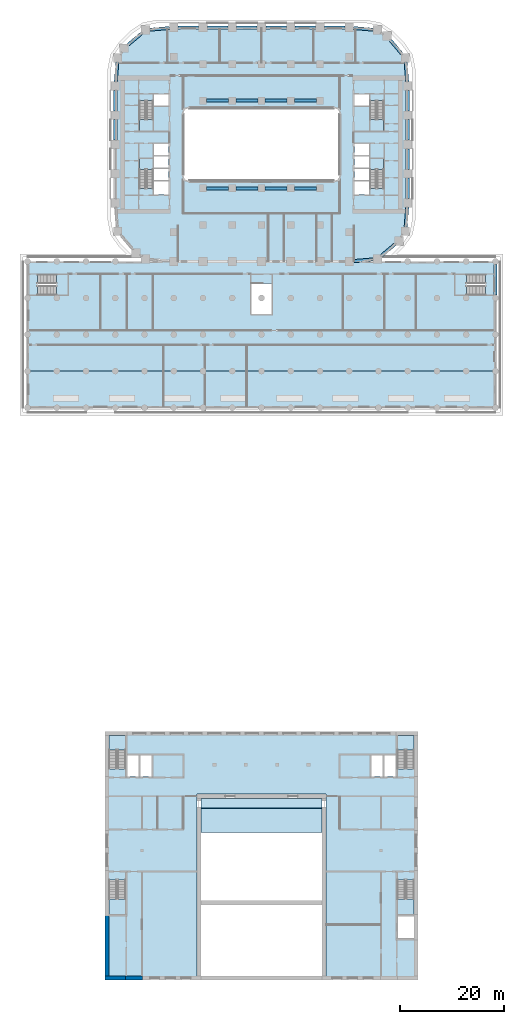
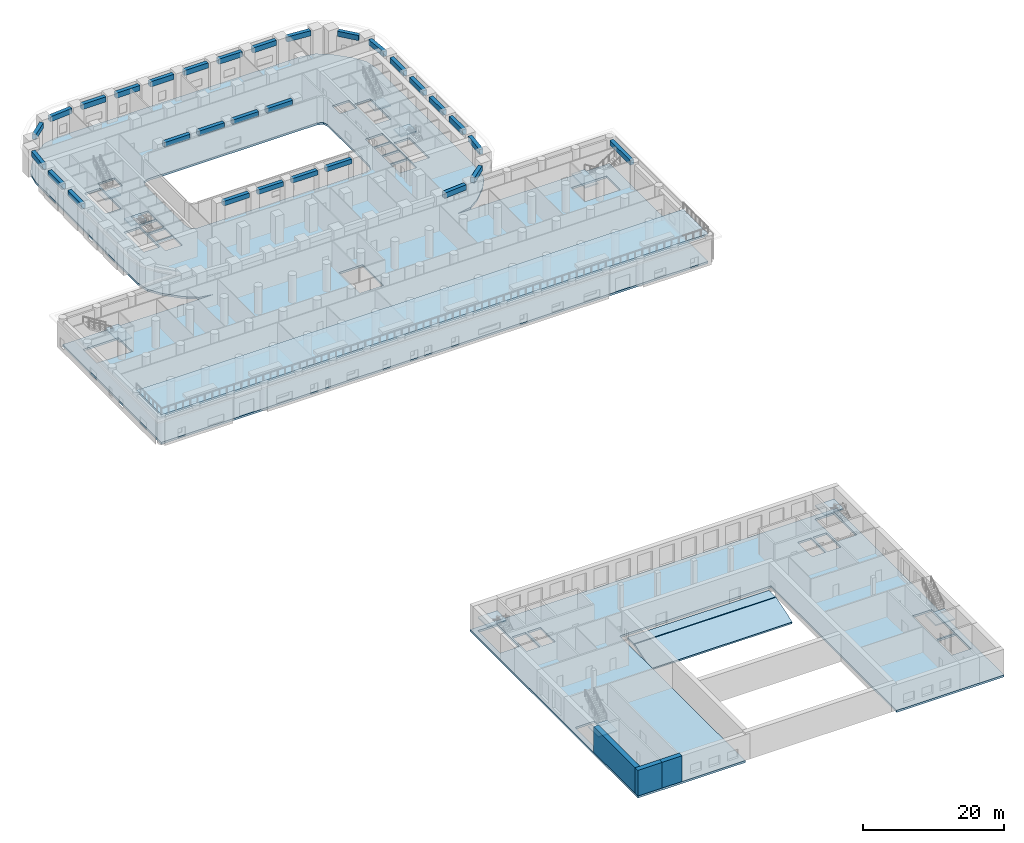
# One storey, part 2 of 24: 30 beams, 15 slabs, 3 walls, 10 elements without a shape of their own.
"""IFC4 building model written with IfcOpenShell, lengths in metres."""

from ifc_helpers import new_model, si_unit, direction, frame, frame_2d, origin, origin_2d, place, context, subcontext, project, spatial, polyline, rectangle, outline, extrude, material, layer, layer_set, material_profile, profile_set, type_object, element, aggregate, save


model = new_model("IFC4")

# Units and contexts
model_context = context("Model", 3, precision=1e-05, world=origin(), true_north=direction((0.0, 1.0)))
body_context = subcontext(model_context, "Body", "Model", "MODEL_VIEW")
ifc_project = project(units=[si_unit("LENGTHUNIT", "METRE"), si_unit("AREAUNIT", "SQUARE_METRE"), si_unit("VOLUMEUNIT", "CUBIC_METRE"), si_unit("PLANEANGLEUNIT", "RADIAN"), si_unit("MASSUNIT", "GRAM", prefix="KILO")], contexts=[model_context])

# Site, building, storey
site_placement = place(None, origin())
site = spatial("IfcSite", under=ifc_project, at=site_placement, CompositionType="ELEMENT")
building_placement = place(site_placement, origin())
building = spatial("IfcBuilding", under=site, at=building_placement, Name="Kiln Ring Residences", CompositionType="ELEMENT")
storey_placement = place(building_placement, frame((0.0, 0.0, 11.300048828125)))
storey = spatial("IfcBuildingStorey", under=building, at=storey_placement, Name="L02", CompositionType="ELEMENT", Elevation=11.300048828125)

# Beams
ifc_material_1 = material(Name="Concrete C50/60", Category="concrete")
ifc_material_profile_1 = material_profile(ifc_material_1, rectangle(XDim=0.60009765625, YDim=0.800048828125, at=origin_2d()), Name="RC600x800")
ifc_profile_set_1 = profile_set([ifc_material_profile_1], Name="Concrete C50/60")
beam_type_1 = type_object("IfcBeamType", Name="Ring beam RC600x800 C50/60", PredefinedType="BEAM", material=ifc_profile_set_1)
beam_1_placement = place(storey_placement, frame((44.800048828125, -23.0, 4.050048828125), z_axis=(0.0, -1.0, 0.0), x_axis=(1.0, 0.0, 0.0)))
element("IfcBeam", 1, at=beam_1_placement, inside=storey, type_object=beam_type_1, Name="Ring beam L02 21", PredefinedType="BEAM", context=body_context, shape_type="SweptSolid", body=[
    extrude(rectangle(XDim=0.60009765625, YDim=0.800048828125, at=origin_2d()), origin(), (0.0, 0.0, 1.0), 5.800048828125),
])
for number, where, z_axis, x_axis, name in (
    (2, (-10.5, -8.39990234375, 4.050048828125), (1.0, 0.0, 0.0), (0.0, 1.0, 0.0), "Ring beam L02 25"),
    (3, (-4.89990234375, -8.39990234375, 4.050048828125), (1.0, 0.0, 0.0), (0.0, 1.0, 0.0), "Ring beam L02 26"),
    (4, (0.699951171875, -8.39990234375, 4.050048828125), (1.0, 0.0, 0.0), (0.0, 1.0, 0.0), "Ring beam L02 27"),
    (5, (6.300048828125, -8.39990234375, 4.050048828125), (1.0, 0.0, 0.0), (0.0, 1.0, 0.0), "Ring beam L02 28"),
    (6, (-10.5, 8.39990234375, 4.050048828125), (1.0, 0.0, 0.0), (0.0, 1.0, 0.0), "Ring beam L02 29"),
    (7, (-4.89990234375, 8.39990234375, 4.050048828125), (1.0, 0.0, 0.0), (0.0, 1.0, 0.0), "Ring beam L02 30"),
    (8, (0.699951171875, 8.39990234375, 4.050048828125), (1.0, 0.0, 0.0), (0.0, 1.0, 0.0), "Ring beam L02 31"),
    (9, (6.300048828125, 8.39990234375, 4.050048828125), (1.0, 0.0, 0.0), (0.0, 1.0, 0.0), "Ring beam L02 32"),
):
    element("IfcBeam", number, at=place(storey_placement, frame(where, z_axis=z_axis, x_axis=x_axis)), inside=storey, type_object=beam_type_1, Name=name, PredefinedType="BEAM", context=body_context, shape_type="SweptSolid", body=[
        extrude(rectangle(XDim=0.60009765625, YDim=0.800048828125, at=origin_2d()), origin(), (0.0, 0.0, 1.0), 4.199951171875),
    ])
ifc_material_2 = material(Name="Concrete C50/60", Category="concrete")
ifc_material_profile_2 = material_profile(ifc_material_2, rectangle(XDim=0.60009765625, YDim=0.89990234375, at=origin_2d()), Name="RC600x900")
ifc_profile_set_2 = profile_set([ifc_material_profile_2], Name="Concrete C50/60")
beam_type_2 = type_object("IfcBeamType", Name="Spandrel beam RC600x900 C50/60", PredefinedType="SPANDREL", material=ifc_profile_set_2)
beam_2_placement = place(storey_placement, frame((17.64990234375, -22.327392578125, 4.0), z_axis=(0.996374977292, 0.08506999839, 0.0), x_axis=(-0.08506999839, 0.996374977292, 0.0)))
element("IfcBeam", 10, at=beam_2_placement, inside=storey, type_object=beam_type_2, Name="Spandrel beam L02 8", PredefinedType="SPANDREL", context=body_context, shape_type="SweptSolid", body=[
    extrude(rectangle(XDim=0.60009765625, YDim=0.89990234375, at=origin_2d()), origin(), (0.0, 0.0, 1.0), 3.72216796875),
])
beam_3_placement = place(storey_placement, frame((23.05859375, -21.221923828125, 4.0), z_axis=(0.764713647219, 0.644370264489, 0.0), x_axis=(-0.644370264489, 0.764713647219, 0.0)))
element("IfcBeam", 11, at=beam_3_placement, inside=storey, type_object=beam_type_2, Name="Spandrel beam L02 9", PredefinedType="SPANDREL", context=body_context, shape_type="SweptSolid", body=[
    extrude(rectangle(XDim=0.60009765625, YDim=0.89990234375, at=origin_2d()), origin(), (0.0, 0.0, 1.0), 3.205322265625),
])
beam_4_placement = place(storey_placement, frame((27.610595703125, -15.7587890625, 4.0), z_axis=(0.085135112999, 0.996369415696, 0.0), x_axis=(-0.996369415696, 0.085135112999, 0.0)))
element("IfcBeam", 12, at=beam_4_placement, inside=storey, type_object=beam_type_2, Name="Spandrel beam L02 10", PredefinedType="SPANDREL", context=body_context, shape_type="SweptSolid", body=[
    extrude(rectangle(XDim=0.60009765625, YDim=0.89990234375, at=origin_2d()), origin(), (0.0, 0.0, 1.0), 3.72216796875),
])
beam_5_placement = place(storey_placement, frame((28.0, -10.35009765625, 4.0), z_axis=(0.0, 1.0, 0.0), x_axis=(-1.0, 0.0, 0.0)))
element("IfcBeam", 13, at=beam_5_placement, inside=storey, type_object=beam_type_2, Name="Spandrel beam L02 11", PredefinedType="SPANDREL", context=body_context, shape_type="SweptSolid", body=[
    extrude(rectangle(XDim=0.60009765625, YDim=0.89990234375, at=origin_2d()), origin(), (0.0, 0.0, 1.0), 3.900146484375),
])
for number, where, z_axis, x_axis, name in (
    (14, (28.0, -4.75, 4.0), (0.0, 1.0, 0.0), (-1.0, 0.0, 0.0), "Spandrel beam L02 12"),
    (15, (28.0, 0.85009765625, 4.0), (0.0, 1.0, 0.0), (-1.0, 0.0, 0.0), "Spandrel beam L02 13"),
):
    element("IfcBeam", number, at=place(storey_placement, frame(where, z_axis=z_axis, x_axis=x_axis)), inside=storey, type_object=beam_type_2, Name=name, PredefinedType="SPANDREL", context=body_context, shape_type="SweptSolid", body=[
        extrude(rectangle(XDim=0.60009765625, YDim=0.89990234375, at=origin_2d()), origin(), (0.0, 0.0, 1.0), 3.89990234375),
    ])
beam_6_placement = place(storey_placement, frame((28.0, 6.449951171875, 4.0), z_axis=(0.0, 1.0, 0.0), x_axis=(-1.0, 0.0, 0.0)))
element("IfcBeam", 16, at=beam_6_placement, inside=storey, type_object=beam_type_2, Name="Spandrel beam L02 14", PredefinedType="SPANDREL", context=body_context, shape_type="SweptSolid", body=[
    extrude(rectangle(XDim=0.60009765625, YDim=0.89990234375, at=origin_2d()), origin(), (0.0, 0.0, 1.0), 3.900146484375),
])
beam_7_placement = place(storey_placement, frame((27.927490234375, 12.050048828125, 4.0), z_axis=(-0.085135112999, 0.996369415696, 0.0), x_axis=(-0.996369415696, -0.085135112999, 0.0)))
element("IfcBeam", 17, at=beam_7_placement, inside=storey, type_object=beam_type_2, Name="Spandrel beam L02 15", PredefinedType="SPANDREL", context=body_context, shape_type="SweptSolid", body=[
    extrude(rectangle(XDim=0.60009765625, YDim=0.89990234375, at=origin_2d()), origin(), (0.0, 0.0, 1.0), 3.72216796875),
])
beam_8_placement = place(storey_placement, frame((26.82177734375, 17.458740234375, 4.0), z_axis=(-0.644370264489, 0.764713647219, 0.0), x_axis=(-0.764713647219, -0.644370264489, 0.0)))
element("IfcBeam", 18, at=beam_8_placement, inside=storey, type_object=beam_type_2, Name="Spandrel beam L02 16", PredefinedType="SPANDREL", context=body_context, shape_type="SweptSolid", body=[
    extrude(rectangle(XDim=0.60009765625, YDim=0.89990234375, at=origin_2d()), origin(), (0.0, 0.0, 1.0), 3.205322265625),
])
beam_9_placement = place(storey_placement, frame((21.358642578125, 22.0107421875, 4.0), z_axis=(-0.996374977292, 0.08506999839, 0.0), x_axis=(-0.08506999839, -0.996374977292, 0.0)))
element("IfcBeam", 19, at=beam_9_placement, inside=storey, type_object=beam_type_2, Name="Spandrel beam L02 17", PredefinedType="SPANDREL", context=body_context, shape_type="SweptSolid", body=[
    extrude(rectangle(XDim=0.60009765625, YDim=0.89990234375, at=origin_2d()), origin(), (0.0, 0.0, 1.0), 3.72216796875),
])
beam_10_placement = place(storey_placement, frame((15.949951171875, 22.39990234375, 4.0), z_axis=(-1.0, 0.0, 0.0), x_axis=(0.0, -1.0, 0.0)))
element("IfcBeam", 20, at=beam_10_placement, inside=storey, type_object=beam_type_2, Name="Spandrel beam L02 18", PredefinedType="SPANDREL", context=body_context, shape_type="SweptSolid", body=[
    extrude(rectangle(XDim=0.60009765625, YDim=0.89990234375, at=origin_2d()), origin(), (0.0, 0.0, 1.0), 3.89990234375),
])
beam_11_placement = place(storey_placement, frame((10.35009765625, 22.39990234375, 4.0), z_axis=(-1.0, 0.0, 0.0), x_axis=(0.0, -1.0, 0.0)))
element("IfcBeam", 21, at=beam_11_placement, inside=storey, type_object=beam_type_2, Name="Spandrel beam L02 19", PredefinedType="SPANDREL", context=body_context, shape_type="SweptSolid", body=[
    extrude(rectangle(XDim=0.60009765625, YDim=0.89990234375, at=origin_2d()), origin(), (0.0, 0.0, 1.0), 3.900146484375),
])
for number, where, z_axis, x_axis, name in (
    (22, (4.75, 22.39990234375, 4.0), (-1.0, 0.0, 0.0), (0.0, -1.0, 0.0), "Spandrel beam L02 20"),
    (23, (-0.85009765625, 22.39990234375, 4.0), (-1.0, 0.0, 0.0), (0.0, -1.0, 0.0), "Spandrel beam L02 21"),
):
    element("IfcBeam", number, at=place(storey_placement, frame(where, z_axis=z_axis, x_axis=x_axis)), inside=storey, type_object=beam_type_2, Name=name, PredefinedType="SPANDREL", context=body_context, shape_type="SweptSolid", body=[
        extrude(rectangle(XDim=0.60009765625, YDim=0.89990234375, at=origin_2d()), origin(), (0.0, 0.0, 1.0), 3.89990234375),
    ])
beam_12_placement = place(storey_placement, frame((-6.449951171875, 22.39990234375, 4.0), z_axis=(-1.0, 0.0, 0.0), x_axis=(0.0, -1.0, 0.0)))
element("IfcBeam", 24, at=beam_12_placement, inside=storey, type_object=beam_type_2, Name="Spandrel beam L02 22", PredefinedType="SPANDREL", context=body_context, shape_type="SweptSolid", body=[
    extrude(rectangle(XDim=0.60009765625, YDim=0.89990234375, at=origin_2d()), origin(), (0.0, 0.0, 1.0), 3.900146484375),
])
beam_13_placement = place(storey_placement, frame((-12.050048828125, 22.39990234375, 4.0), z_axis=(-1.0, 0.0, 0.0), x_axis=(0.0, -1.0, 0.0)))
element("IfcBeam", 25, at=beam_13_placement, inside=storey, type_object=beam_type_2, Name="Spandrel beam L02 23", PredefinedType="SPANDREL", context=body_context, shape_type="SweptSolid", body=[
    extrude(rectangle(XDim=0.60009765625, YDim=0.89990234375, at=origin_2d()), origin(), (0.0, 0.0, 1.0), 3.89990234375),
])
beam_14_placement = place(storey_placement, frame((-17.64990234375, 22.327392578125, 4.0), z_axis=(-0.996374977292, -0.08506999839, 0.0), x_axis=(0.08506999839, -0.996374977292, 0.0)))
element("IfcBeam", 26, at=beam_14_placement, inside=storey, type_object=beam_type_2, Name="Spandrel beam L02 24", PredefinedType="SPANDREL", context=body_context, shape_type="SweptSolid", body=[
    extrude(rectangle(XDim=0.60009765625, YDim=0.89990234375, at=origin_2d()), origin(), (0.0, 0.0, 1.0), 3.72216796875),
])
beam_15_placement = place(storey_placement, frame((-23.05859375, 21.221923828125, 4.0), z_axis=(-0.764713647219, -0.644370264489, 0.0), x_axis=(0.644370264489, -0.764713647219, 0.0)))
element("IfcBeam", 27, at=beam_15_placement, inside=storey, type_object=beam_type_2, Name="Spandrel beam L02 25", PredefinedType="SPANDREL", context=body_context, shape_type="SweptSolid", body=[
    extrude(rectangle(XDim=0.60009765625, YDim=0.89990234375, at=origin_2d()), origin(), (0.0, 0.0, 1.0), 3.205322265625),
])
beam_16_placement = place(storey_placement, frame((-27.610595703125, 15.7587890625, 4.0), z_axis=(-0.085135112999, -0.996369415696, 0.0), x_axis=(0.996369415696, -0.085135112999, 0.0)))
element("IfcBeam", 28, at=beam_16_placement, inside=storey, type_object=beam_type_2, Name="Spandrel beam L02 26", PredefinedType="SPANDREL", context=body_context, shape_type="SweptSolid", body=[
    extrude(rectangle(XDim=0.60009765625, YDim=0.89990234375, at=origin_2d()), origin(), (0.0, 0.0, 1.0), 3.72216796875),
])
beam_17_placement = place(storey_placement, frame((-28.0, 10.35009765625, 4.0), z_axis=(0.0, -1.0, 0.0), x_axis=(1.0, 0.0, 0.0)))
element("IfcBeam", 29, at=beam_17_placement, inside=storey, type_object=beam_type_2, Name="Spandrel beam L02 27", PredefinedType="SPANDREL", context=body_context, shape_type="SweptSolid", body=[
    extrude(rectangle(XDim=0.60009765625, YDim=0.89990234375, at=origin_2d()), origin(), (0.0, 0.0, 1.0), 3.900146484375),
])
beam_18_placement = place(storey_placement, frame((-28.0, 4.75, 4.0), z_axis=(0.0, -1.0, 0.0), x_axis=(1.0, 0.0, 0.0)))
element("IfcBeam", 30, at=beam_18_placement, inside=storey, type_object=beam_type_2, Name="Spandrel beam L02 28", PredefinedType="SPANDREL", context=body_context, shape_type="SweptSolid", body=[
    extrude(rectangle(XDim=0.60009765625, YDim=0.89990234375, at=origin_2d()), origin(), (0.0, 0.0, 1.0), 3.89990234375),
])

# Stair, slab
ifc_material_3 = material(Name="Concrete C40/50", Category="concrete")
stair_type_1 = type_object("IfcStairType", Name="CORE-STAIR", PredefinedType="HALF_TURN_STAIR", material=ifc_material_3)
placement_1 = place(storey_placement, origin())
stair_1 = element("IfcStair", 31, at=placement_1, inside=storey, type_object=stair_type_1, Name="L02 stair W-STN", PredefinedType="HALF_TURN_STAIR")
ifc_material_4 = material(Name="Concrete C40/50", Category="concrete")
ifc_layer_1 = layer(ifc_material_4, 0.199951171875)
ifc_layer_set_1 = layer_set([ifc_layer_1], Name="CORE-STAIR-LANDING")
slab_type_1 = type_object("IfcSlabType", Name="CORE-STAIR-LANDING", PredefinedType="LANDING", material=ifc_layer_set_1)
placement_2 = place(storey_placement, frame((0.0, 0.0, 2.199951171875)))
slab_1 = element("IfcSlab", 32, at=placement_2, type_object=slab_type_1, Name="W-STN landing 1", PredefinedType="LANDING", context=body_context, shape_type="SweptSolid", body=[
    extrude(outline(polyline([(-23.39990234375, 4.760009765625), (-23.39990234375, 2.60009765625), (-20.800048828125, 2.60009765625), (-20.800048828125, 4.760009765625), (-23.39990234375, 4.760009765625)])), origin(), (0.0, 0.0, 1.0), 0.199951171875),
])
aggregate(stair_1, [slab_1])

stair_2 = element("IfcStair", 33, at=placement_1, inside=storey, type_object=stair_type_1, Name="L02 stair W-STS", PredefinedType="HALF_TURN_STAIR")
slab_2 = element("IfcSlab", 34, at=placement_2, type_object=slab_type_1, Name="W-STS landing 1", PredefinedType="LANDING", context=body_context, shape_type="SweptSolid", body=[
    extrude(outline(polyline([(-20.800048828125, -4.760009765625), (-20.800048828125, -2.699951171875), (-23.39990234375, -2.699951171875), (-23.39990234375, -4.760009765625), (-20.800048828125, -4.760009765625)])), origin(), (0.0, 0.0, 1.0), 0.199951171875),
])
aggregate(stair_2, [slab_2])

stair_3 = element("IfcStair", 35, at=placement_1, inside=storey, type_object=stair_type_1, Name="L02 stair E-STN", PredefinedType="HALF_TURN_STAIR")
slab_3 = element("IfcSlab", 36, at=placement_2, type_object=slab_type_1, Name="E-STN landing 1", PredefinedType="LANDING", context=body_context, shape_type="SweptSolid", body=[
    extrude(outline(polyline([(20.800048828125, 4.760009765625), (20.800048828125, 2.60009765625), (23.39990234375, 2.60009765625), (23.39990234375, 4.760009765625), (20.800048828125, 4.760009765625)])), origin(), (0.0, 0.0, 1.0), 0.199951171875),
])
aggregate(stair_3, [slab_3])

stair_4 = element("IfcStair", 37, at=placement_1, inside=storey, type_object=stair_type_1, Name="L02 stair E-STS", PredefinedType="HALF_TURN_STAIR")
slab_4 = element("IfcSlab", 38, at=placement_2, type_object=slab_type_1, Name="E-STS landing 1", PredefinedType="LANDING", context=body_context, shape_type="SweptSolid", body=[
    extrude(outline(polyline([(23.39990234375, -4.760009765625), (23.39990234375, -2.699951171875), (20.800048828125, -2.699951171875), (20.800048828125, -4.760009765625), (23.39990234375, -4.760009765625)])), origin(), (0.0, 0.0, 1.0), 0.199951171875),
])
aggregate(stair_4, [slab_4])

# Slabs
ifc_material_5 = material(Name="Concrete C40/50", Category="concrete")
ifc_layer_2 = layer(ifc_material_5, 0.35009765625)
ifc_layer_set_2 = layer_set([ifc_layer_2], Name="Floor slab 350")
slab_type_2 = type_object("IfcSlabType", Name="Floor slab 350", PredefinedType="FLOOR", material=ifc_layer_set_2)
placement_3 = place(storey_placement, frame((0.0, 0.0, -0.35009765625)))
element("IfcSlab", 39, at=placement_3, inside=storey, type_object=slab_type_2, Name="Floor slab L02 1", PredefinedType="FLOOR", context=body_context, shape_type="SweptSolid", body=[
    extrude(outline(polyline([(44.800048828125, -50.39990234375), (44.800048828125, -22.39990234375), (20.0, -22.39990234375), (22.224365234375, -21.975830078125), (24.09716796875, -20.702880859375), (26.302978515625, -18.4970703125), (27.57568359375, -16.624267578125), (28.0, -14.39990234375), (28.0, 14.39990234375), (27.57568359375, 16.624267578125), (26.302978515625, 18.4970703125), (24.09716796875, 20.702880859375), (22.224365234375, 21.975830078125), (20.0, 22.39990234375), (-20.0, 22.39990234375), (-22.224365234375, 21.975830078125), (-24.09716796875, 20.702880859375), (-26.302978515625, 18.4970703125), (-27.57568359375, 16.624267578125), (-28.0, 14.39990234375), (-28.0, -14.39990234375), (-27.57568359375, -16.624267578125), (-26.302978515625, -18.4970703125), (-24.09716796875, -20.702880859375), (-22.224365234375, -21.975830078125), (-20.0, -22.39990234375), (-44.800048828125, -22.39990234375), (-44.800048828125, -50.39990234375), (44.800048828125, -50.39990234375)]), holes=[polyline([(-14.699951171875, -6.699951171875), (-15.0, -5.800048828125), (-15.0, 5.800048828125), (-14.699951171875, 6.699951171875), (-13.800048828125, 7.0), (13.800048828125, 7.0), (14.699951171875, 6.699951171875), (15.0, 5.800048828125), (15.0, -5.800048828125), (14.699951171875, -6.699951171875), (13.800048828125, -7.0), (-13.800048828125, -7.0), (-14.699951171875, -6.699951171875)]), polyline([(42.89794921875, -24.89990234375), (42.89794921875, -28.800048828125), (37.10009765625, -28.800048828125), (37.10009765625, -24.89990234375), (42.89794921875, -24.89990234375)]), polyline([(20.800048828125, 8.39794921875), (23.39990234375, 8.39794921875), (23.39990234375, 2.60009765625), (20.800048828125, 2.60009765625), (20.800048828125, 8.39794921875)]), polyline([(20.800048828125, -8.39794921875), (20.800048828125, -2.699951171875), (23.39990234375, -2.699951171875), (23.39990234375, -8.39794921875), (20.800048828125, -8.39794921875)]), polyline([(17.800048828125, 9.60009765625), (20.60009765625, 9.60009765625), (20.60009765625, 7.39990234375), (17.800048828125, 7.39990234375), (17.800048828125, 9.60009765625)]), polyline([(17.800048828125, -2.050048828125), (17.800048828125, 0.14990234375), (20.60009765625, 0.14990234375), (20.60009765625, -2.050048828125), (17.800048828125, -2.050048828125)]), polyline([(17.800048828125, -4.449951171875), (17.800048828125, -2.25), (20.60009765625, -2.25), (20.60009765625, -4.449951171875), (17.800048828125, -4.449951171875)]), polyline([(17.800048828125, -6.85009765625), (17.800048828125, -4.64990234375), (20.60009765625, -4.64990234375), (20.60009765625, -6.85009765625), (17.800048828125, -6.85009765625)]), polyline([(17.800048828125, -9.60009765625), (17.800048828125, -7.050048828125), (20.60009765625, -7.050048828125), (20.60009765625, -9.60009765625), (17.800048828125, -9.60009765625)]), polyline([(-1.949951171875, -26.60205078125), (1.949951171875, -26.60205078125), (1.949951171875, -32.5), (-1.949951171875, -32.5), (-1.949951171875, -26.60205078125)]), polyline([(-17.800048828125, 7.39990234375), (-20.60009765625, 7.39990234375), (-20.60009765625, 9.60009765625), (-17.800048828125, 9.60009765625), (-17.800048828125, 7.39990234375)]), polyline([(-17.800048828125, -2.050048828125), (-20.60009765625, -2.050048828125), (-20.60009765625, 0.14990234375), (-17.800048828125, 0.14990234375), (-17.800048828125, -2.050048828125)]), polyline([(-17.800048828125, -4.449951171875), (-20.60009765625, -4.449951171875), (-20.60009765625, -2.25), (-17.800048828125, -2.25), (-17.800048828125, -4.449951171875)]), polyline([(-17.800048828125, -6.85009765625), (-20.60009765625, -6.85009765625), (-20.60009765625, -4.64990234375), (-17.800048828125, -4.64990234375), (-17.800048828125, -6.85009765625)]), polyline([(-17.800048828125, -9.60009765625), (-20.60009765625, -9.60009765625), (-20.60009765625, -7.050048828125), (-17.800048828125, -7.050048828125), (-17.800048828125, -9.60009765625)]), polyline([(-20.800048828125, 2.60009765625), (-23.39990234375, 2.60009765625), (-23.39990234375, 8.39794921875), (-20.800048828125, 8.39794921875), (-20.800048828125, 2.60009765625)]), polyline([(-20.800048828125, -8.39794921875), (-23.39990234375, -8.39794921875), (-23.39990234375, -2.699951171875), (-20.800048828125, -2.699951171875), (-20.800048828125, -8.39794921875)]), polyline([(-42.89794921875, -28.800048828125), (-42.89794921875, -24.89990234375), (-37.10009765625, -24.89990234375), (-37.10009765625, -28.800048828125), (-42.89794921875, -28.800048828125)])]), origin(), (0.0, 0.0, 1.0), 0.35009765625),
])
ifc_material_6 = material(Name="Concrete C40/50", Category="concrete")
ifc_layer_3 = layer(ifc_material_6, 0.35009765625)
ifc_layer_set_3 = layer_set([ifc_layer_3], Name="Hall reinforced concrete C40/50 floor slab 350")
slab_type_3 = type_object("IfcSlabType", Name="Hall reinforced concrete C40/50 floor slab 350", PredefinedType="FLOOR", material=ifc_layer_set_3)
element("IfcSlab", 40, at=placement_3, inside=storey, type_object=slab_type_3, Name="Hall floor slab L02", PredefinedType="FLOOR", context=body_context, shape_type="SweptSolid", body=[
    extrude(outline(polyline([(-30.0, -112.39990234375), (30.0, -112.39990234375), (30.0, -160.0), (12.39990234375, -160.0), (12.39990234375, -124.39990234375), (-12.39990234375, -124.39990234375), (-12.39990234375, -160.0), (-30.0, -160.0), (-30.0, -112.39990234375)]), holes=[polyline([(-25.75, -121.050048828125), (-23.550048828125, -121.050048828125), (-23.550048828125, -116.949951171875), (-25.75, -116.949951171875), (-25.75, -121.050048828125)]), polyline([(-23.25, -116.949951171875), (-23.25, -121.050048828125), (-21.050048828125, -121.050048828125), (-21.050048828125, -116.949951171875), (-23.25, -116.949951171875)]), polyline([(23.25, -116.949951171875), (21.050048828125, -116.949951171875), (21.050048828125, -121.050048828125), (23.25, -121.050048828125), (23.25, -116.949951171875)]), polyline([(25.75, -121.050048828125), (25.75, -116.949951171875), (23.550048828125, -116.949951171875), (23.550048828125, -121.050048828125), (25.75, -121.050048828125)]), polyline([(26.050048828125, -152.050048828125), (29.199951171875, -152.050048828125), (29.199951171875, -147.75), (26.050048828125, -147.75), (26.050048828125, -152.050048828125)]), polyline([(-26.050048828125, -119.548095703125), (-26.050048828125, -113.199951171875), (-29.199951171875, -113.199951171875), (-29.199951171875, -119.548095703125), (-26.050048828125, -119.548095703125)]), polyline([(26.050048828125, -119.548095703125), (29.199951171875, -119.548095703125), (29.199951171875, -113.199951171875), (26.050048828125, -113.199951171875), (26.050048828125, -119.548095703125)]), polyline([(-26.050048828125, -147.449951171875), (-26.050048828125, -140.85205078125), (-29.199951171875, -140.85205078125), (-29.199951171875, -147.449951171875), (-26.050048828125, -147.449951171875)]), polyline([(26.050048828125, -147.449951171875), (29.199951171875, -147.449951171875), (29.199951171875, -140.85205078125), (26.050048828125, -140.85205078125), (26.050048828125, -147.449951171875)])]), origin(), (0.0, 0.0, 1.0), 0.35009765625),
])

# Stair, slab
ifc_material_7 = material(Name="Concrete C40/50", Category="concrete")
stair_type_2 = type_object("IfcStairType", Name="Hall reinforced concrete stair", PredefinedType="HALF_TURN_STAIR", material=ifc_material_7)
stair_5 = element("IfcStair", 41, at=placement_1, inside=storey, type_object=stair_type_2, Name="L02 Hall stair ST1", PredefinedType="HALF_TURN_STAIR")
ifc_material_8 = material(Name="Concrete C40/50", Category="concrete")
ifc_layer_4 = layer(ifc_material_8, 0.199951171875)
ifc_layer_set_4 = layer_set([ifc_layer_4], Name="Hall reinforced concrete C40/50 stair landing 200")
slab_type_4 = type_object("IfcSlabType", Name="Hall reinforced concrete C40/50 stair landing 200", PredefinedType="LANDING", material=ifc_layer_set_4)
slab_7 = element("IfcSlab", 42, at=placement_2, type_object=slab_type_4, Name="HALL.ST1 landing 1", PredefinedType="LANDING", context=body_context, shape_type="SweptSolid", body=[
    extrude(outline(polyline([(-26.050048828125, -115.909912109375), (-26.050048828125, -113.199951171875), (-29.199951171875, -113.199951171875), (-29.199951171875, -115.909912109375), (-26.050048828125, -115.909912109375)])), origin(), (0.0, 0.0, 1.0), 0.199951171875),
])
aggregate(stair_5, [slab_7])

stair_6 = element("IfcStair", 43, at=placement_1, inside=storey, type_object=stair_type_2, Name="L02 Hall stair ST2", PredefinedType="HALF_TURN_STAIR")
slab_8 = element("IfcSlab", 44, at=placement_2, type_object=slab_type_4, Name="HALL.ST2 landing 1", PredefinedType="LANDING", context=body_context, shape_type="SweptSolid", body=[
    extrude(outline(polyline([(29.199951171875, -115.909912109375), (29.199951171875, -113.199951171875), (26.050048828125, -113.199951171875), (26.050048828125, -115.909912109375), (29.199951171875, -115.909912109375)])), origin(), (0.0, 0.0, 1.0), 0.199951171875),
])
aggregate(stair_6, [slab_8])

stair_7 = element("IfcStair", 45, at=placement_1, inside=storey, type_object=stair_type_2, Name="L02 Hall stair ST3", PredefinedType="HALF_TURN_STAIR")
slab_9 = element("IfcSlab", 46, at=placement_2, type_object=slab_type_4, Name="HALL.ST3 landing 1", PredefinedType="LANDING", context=body_context, shape_type="SweptSolid", body=[
    extrude(outline(polyline([(-29.199951171875, -144.489990234375), (-29.199951171875, -147.449951171875), (-26.050048828125, -147.449951171875), (-26.050048828125, -144.489990234375), (-29.199951171875, -144.489990234375)])), origin(), (0.0, 0.0, 1.0), 0.199951171875),
])
aggregate(stair_7, [slab_9])

stair_8 = element("IfcStair", 47, at=placement_1, inside=storey, type_object=stair_type_2, Name="L02 Hall stair ST4", PredefinedType="HALF_TURN_STAIR")
slab_10 = element("IfcSlab", 48, at=placement_2, type_object=slab_type_4, Name="HALL.ST4 landing 1", PredefinedType="LANDING", context=body_context, shape_type="SweptSolid", body=[
    extrude(outline(polyline([(26.050048828125, -144.489990234375), (26.050048828125, -147.449951171875), (29.199951171875, -147.449951171875), (29.199951171875, -144.489990234375), (26.050048828125, -144.489990234375)])), origin(), (0.0, 0.0, 1.0), 0.199951171875),
])
aggregate(stair_8, [slab_10])

# Slabs
ifc_material_9 = material(Name="Concrete C40/50", Category="concrete")
ifc_layer_5 = layer(ifc_material_9, 0.39990234375)
ifc_layer_set_5 = layer_set([ifc_layer_5], Name="Hall seating tier slab 400")
slab_type_5 = type_object("IfcSlabType", Name="Hall seating tier slab 400", PredefinedType="FLOOR", material=ifc_layer_set_5)
slab_11_placement = place(storey_placement, frame((-11.60009765625, -131.800048828125, -1.5), z_axis=(0.0, -0.310014650897, 0.950731779331), x_axis=(1.0, 0.0, 0.0)))
element("IfcSlab", 49, at=slab_11_placement, inside=storey, type_object=slab_type_5, Name="Hall circle tier L02", PredefinedType="FLOOR", context=body_context, shape_type="SweptSolid", body=[
    extrude(outline(polyline([(0.0, 0.0), (23.2001953125, 0.0), (23.2001953125, 4.838481006166784), (0.0, 4.838481006166784), (0.0, 0.0)])), origin(), (0.0, 0.0, -1.0), 0.39990234375),
])
slab_12_placement = place(storey_placement, frame((0.0, 0.0, -0.400146484375)))
element("IfcSlab", 50, at=slab_12_placement, inside=storey, type_object=slab_type_5, Name="Hall circle crossover L02", PredefinedType="FLOOR", context=body_context, shape_type="SweptSolid", body=[
    extrude(outline(polyline([(-11.60009765625, -127.074951171875), (11.60009765625, -127.074951171875), (11.60009765625, -125.199951171875), (-11.60009765625, -125.199951171875), (-11.60009765625, -127.074951171875)])), origin(), (0.0, 0.0, 1.0), 0.400146484375),
])

# Stair, slab
ifc_material_10 = material(Name="Concrete C40/50", Category="concrete")
stair_type_3 = type_object("IfcStairType", Name="PODIUM-STAIR", PredefinedType="HALF_TURN_STAIR", material=ifc_material_10)
stair_9 = element("IfcStair", 51, at=placement_1, inside=storey, type_object=stair_type_3, Name="L02 exit stair PS-W", PredefinedType="HALF_TURN_STAIR")
ifc_material_11 = material(Name="Concrete C40/50", Category="concrete")
ifc_layer_6 = layer(ifc_material_11, 0.199951171875)
ifc_layer_set_6 = layer_set([ifc_layer_6], Name="PODIUM-STAIR-LANDING")
slab_type_6 = type_object("IfcSlabType", Name="PODIUM-STAIR-LANDING", PredefinedType="LANDING", material=ifc_layer_set_6)
slab_13 = element("IfcSlab", 52, at=placement_2, type_object=slab_type_6, Name="PS-W landing 1", PredefinedType="LANDING", context=body_context, shape_type="SweptSolid", body=[
    extrude(outline(polyline([(-39.260009765625, -28.800048828125), (-37.10009765625, -28.800048828125), (-37.10009765625, -24.89990234375), (-39.260009765625, -24.89990234375), (-39.260009765625, -28.800048828125)])), origin(), (0.0, 0.0, 1.0), 0.199951171875),
])
aggregate(stair_9, [slab_13])

stair_10 = element("IfcStair", 53, at=placement_1, inside=storey, type_object=stair_type_3, Name="L02 exit stair PS-E", PredefinedType="HALF_TURN_STAIR")
slab_14 = element("IfcSlab", 54, at=placement_2, type_object=slab_type_6, Name="PS-E landing 1", PredefinedType="LANDING", context=body_context, shape_type="SweptSolid", body=[
    extrude(outline(polyline([(39.260009765625, -24.89990234375), (37.10009765625, -24.89990234375), (37.10009765625, -28.800048828125), (39.260009765625, -28.800048828125), (39.260009765625, -24.89990234375)])), origin(), (0.0, 0.0, 1.0), 0.199951171875),
])
aggregate(stair_10, [slab_14])

# Slab
ifc_material_12 = material(Name="Concrete C40/50", Category="concrete")
ifc_layer_7 = layer(ifc_material_12, 0.35009765625)
ifc_layer_set_7 = layer_set([ifc_layer_7], Name="Roof slab 350")
slab_type_7 = type_object("IfcSlabType", Name="Roof slab 350", PredefinedType="ROOF", material=ifc_layer_set_7)
slab_15_placement = place(storey_placement, frame((0.0, 0.0, 4.449951171875)))
element("IfcSlab", 55, at=slab_15_placement, inside=storey, type_object=slab_type_7, Name="Roof slab L02 1", PredefinedType="ROOF", context=body_context, shape_type="SweptSolid", body=[
    extrude(outline(polyline([(44.800048828125, -43.400390625), (-44.800048828125, -43.400390625), (-44.800048828125, -50.39990234375), (44.800048828125, -50.39990234375), (44.800048828125, -43.400390625)])), origin(), (0.0, 0.0, 1.0), 0.35009765625),
])

# Walls
ifc_material_13 = material(Name="Concrete C40/50", Category="concrete")
ifc_layer_8 = layer(ifc_material_13, 0.800048828125)
ifc_layer_set_8 = layer_set([ifc_layer_8], Name="Hall Exposed brick-faced reinforced concrete C40/50 wall 800")
wall_type = type_object("IfcWallType", Name="Hall Exposed brick-faced reinforced concrete C40/50 wall 800", PredefinedType="SOLIDWALL", material=ifc_layer_set_8)
wall_1_placement = place(storey_placement, frame((-30.0, -159.60009765625, 0.0), z_axis=(0.0, 0.0, 1.0), x_axis=(1.0, 0.0, 0.0)))
element("IfcWall", 56, at=wall_1_placement, inside=storey, type_object=wall_type, Name="Hall wall L02 1", PredefinedType="SOLIDWALL", context=body_context, shape_type="SweptSolid", body=[
    extrude(rectangle(XDim=4.224853515625, YDim=0.800048828125, at=frame_2d((2.1123046875, 0.0))), origin(), (0.0, 0.0, 1.0), 4.449951171875),
])
wall_2_placement = place(storey_placement, frame((-26.02490234375, -159.60009765625, 0.0), z_axis=(0.0, 0.0, 1.0), x_axis=(1.0, 0.0, 0.0)))
element("IfcWall", 57, at=wall_2_placement, inside=storey, type_object=wall_type, Name="Hall wall L02 2", PredefinedType="SOLIDWALL", context=body_context, shape_type="SweptSolid", body=[
    extrude(rectangle(XDim=3.249755859375, YDim=0.800048828125, at=frame_2d((1.625, 0.0))), origin(), (0.0, 0.0, 1.0), 4.449951171875),
])
wall_3_placement = place(storey_placement, frame((-29.60009765625, -159.199951171875, 0.0), z_axis=(0.0, 0.0, 1.0), x_axis=(0.0, 1.0, 0.0)))
element("IfcWall", 58, at=wall_3_placement, inside=storey, type_object=wall_type, Name="Hall wall L02 29", PredefinedType="SOLIDWALL", context=body_context, shape_type="SweptSolid", body=[
    extrude(rectangle(XDim=11.749755859375, YDim=0.800048828125, at=frame_2d((5.875, 0.0))), origin(), (0.0, 0.0, 1.0), 4.449951171875),
])

save(model, "model.ifc")
